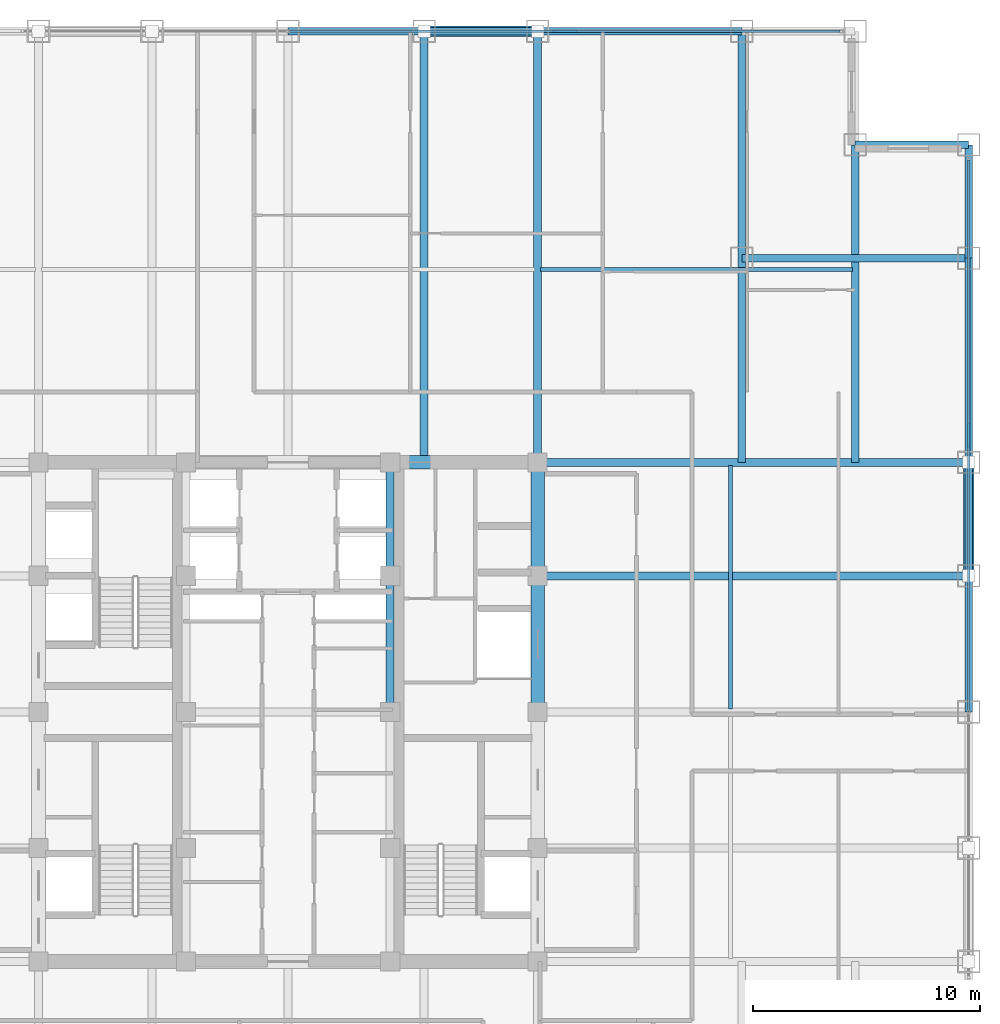
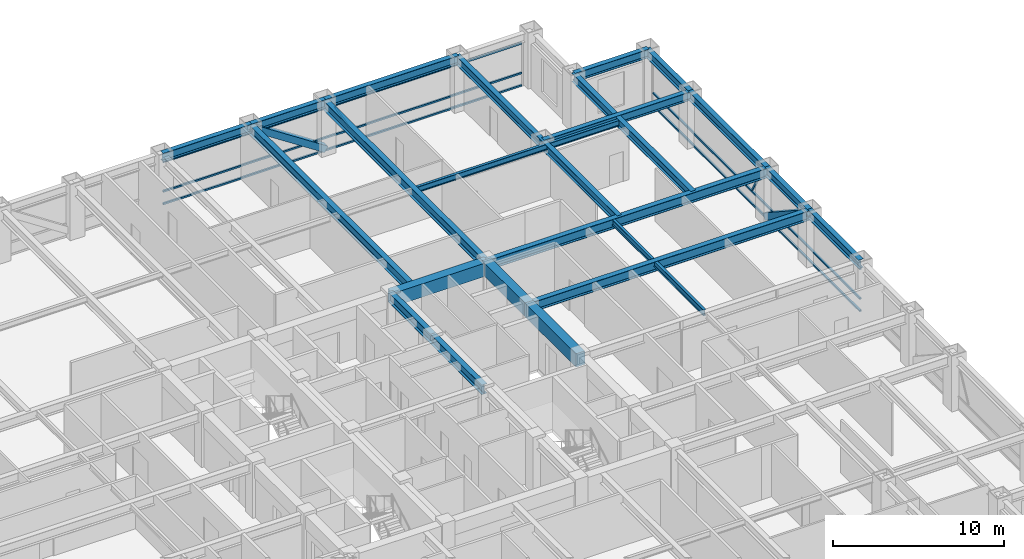
# One storey, part 17 of 25: 22 beams, 10 members, 2 elements without a shape of their own.
"""IFC4 building model written with IfcOpenShell, lengths in metres."""

from ifc_helpers import new_model, si_unit, direction, frame, origin, origin_2d, place, context, subcontext, project, spatial, rectangle, hollow_rectangle, i_section, extrude, source, transform, mapped, material, material_profile, profile_set, type_object, element, aggregate, save


model = new_model("IFC4")

# Units and contexts
model_context = context("Model", 3, precision=1e-05, world=origin(), true_north=direction((0.0, 1.0)))
body_context = subcontext(model_context, "Body", "Model", "MODEL_VIEW")
ifc_project = project(units=[si_unit("LENGTHUNIT", "METRE"), si_unit("AREAUNIT", "SQUARE_METRE"), si_unit("VOLUMEUNIT", "CUBIC_METRE"), si_unit("PLANEANGLEUNIT", "RADIAN"), si_unit("MASSUNIT", "GRAM", prefix="KILO")], contexts=[model_context])

# Site, building, storey
site_placement = place(None, origin())
site = spatial("IfcSite", under=ifc_project, at=site_placement, CompositionType="ELEMENT")
building_placement = place(site_placement, origin())
building = spatial("IfcBuilding", under=site, at=building_placement, Name="Khorayat Bourse Tower", CompositionType="ELEMENT")
storey_placement = place(building_placement, frame((0.0, 0.0, 251.10009765625)))
storey = spatial("IfcBuildingStorey", under=building, at=storey_placement, Name="L59", CompositionType="ELEMENT", Elevation=251.10009765625)

# Beams
ifc_material_1 = material(Name="Steel ASTM A992 Grade 50", Category="steel")
ifc_material_profile_1 = material_profile(ifc_material_1, i_section(OverallWidth=0.35498046875, OverallDepth=0.695068359375, WebThickness=0.015380859375, FlangeThickness=0.02490234375, FilletRadius=0.01806640625, at=origin_2d()), Name="W690X217")
ifc_profile_set_1 = profile_set([ifc_material_profile_1], Name="Steel ASTM A992 Grade 50")
beam_type_1 = type_object("IfcBeamType", Name="BM-GIRD-690", PredefinedType="BEAM", material=ifc_profile_set_1)
shared_shape_1 = source(origin(), body_context, "Body", "SweptSolid", [
    extrude(i_section(OverallWidth=0.35498046875, OverallDepth=0.695068359375, WebThickness=0.015380859375, FlangeThickness=0.02490234375, FilletRadius=0.01806640625, at=origin_2d()), origin(), (0.0, 0.0, 1.0), 5.0),
])
beam_1_placement = place(storey_placement, frame((4.5, 6.0, 3.432373046875), z_axis=(0.0, 1.0, 0.0), x_axis=(-1.0, 0.0, 0.0)))
element("IfcBeam", 1, at=beam_1_placement, inside=storey, type_object=beam_type_1, Name="L59 BM-GIRD-690 BM-L59-CRX-12", PredefinedType="BEAM", context=body_context, shape_type="MappedRepresentation", body=[
    mapped(shared_shape_1, transform((0.0, 0.0, 0.0), scale=1.0)),
])
shared_shape_2 = source(origin(), body_context, "Body", "SweptSolid", [
    extrude(i_section(OverallWidth=0.35498046875, OverallDepth=0.695068359375, WebThickness=0.015380859375, FlangeThickness=0.02490234375, FilletRadius=0.01806640625, at=origin_2d()), origin(), (0.0, 0.0, 1.0), 6.0),
])
beam_2_placement = place(storey_placement, frame((4.5, 0.0, 3.432373046875), z_axis=(0.0, 1.0, 0.0), x_axis=(-1.0, 0.0, 0.0)))
element("IfcBeam", 2, at=beam_2_placement, inside=storey, type_object=beam_type_1, Name="L59 BM-GIRD-690 BM-L59-CRX-11", PredefinedType="BEAM", context=body_context, shape_type="MappedRepresentation", body=[
    mapped(shared_shape_2, transform((0.0, 0.0, 0.0), scale=1.0)),
])
ifc_material_profile_2 = material_profile(ifc_material_1, i_section(OverallWidth=0.324951171875, OverallDepth=0.615966796875, WebThickness=0.013916015625, FlangeThickness=0.021484375, FilletRadius=0.01611328125, at=origin_2d()), Name="W610X174")
ifc_profile_set_2 = profile_set([ifc_material_profile_2], Name="Steel ASTM A992 Grade 50")
beam_type_2 = type_object("IfcBeamType", Name="BM-GIRD-610", PredefinedType="BEAM", material=ifc_profile_set_2)
shared_shape_3 = source(origin(), body_context, "Body", "SweptSolid", [
    extrude(i_section(OverallWidth=0.324951171875, OverallDepth=0.615966796875, WebThickness=0.013916015625, FlangeThickness=0.021484375, FilletRadius=0.01611328125, at=origin_2d()), origin(), (0.0, 0.0, 1.0), 19.0),
])
beam_3_placement = place(storey_placement, frame((20.0, 11.0, 3.471923828125), z_axis=(0.0, 1.0, 0.0), x_axis=(-1.0, 0.0, 0.0)))
element("IfcBeam", 3, at=beam_3_placement, inside=storey, type_object=beam_type_2, Name="L59 BM-GIRD-610 BM-L59-CNRY-087", PredefinedType="BEAM", context=body_context, shape_type="MappedRepresentation", body=[
    mapped(shared_shape_3, transform((0.0, 0.0, 0.0), scale=1.0)),
])
shared_shape_4 = source(origin(), body_context, "Body", "SweptSolid", [
    extrude(i_section(OverallWidth=0.324951171875, OverallDepth=0.615966796875, WebThickness=0.013916015625, FlangeThickness=0.021484375, FilletRadius=0.01611328125, at=origin_2d()), origin(), (0.0, 0.0, 1.0), 10.0),
])
beam_4_placement = place(storey_placement, frame((20.0, 20.0, 3.471923828125), z_axis=(1.0, 0.0, 0.0), x_axis=(0.0, 1.0, 0.0)))
element("IfcBeam", 4, at=beam_4_placement, inside=storey, type_object=beam_type_2, Name="L59 BM-GIRD-610 BM-L59-CNRX-094", PredefinedType="BEAM", context=body_context, shape_type="MappedRepresentation", body=[
    mapped(shared_shape_4, transform((0.0, 0.0, 0.0), scale=1.0)),
])
ifc_material_profile_3 = material_profile(ifc_material_1, i_section(OverallWidth=0.180908203125, OverallDepth=0.4169921875, WebThickness=0.010986328125, FlangeThickness=0.018310546875, FilletRadius=0.011962890625, at=origin_2d()), Name="W410X85")
ifc_profile_set_3 = profile_set([ifc_material_profile_3], Name="Steel ASTM A992 Grade 50")
beam_type_3 = type_object("IfcBeamType", Name="BM-JOIST-410", PredefinedType="JOIST", material=ifc_profile_set_3)
shared_shape_5 = source(origin(), body_context, "Body", "SweptSolid", [
    extrude(i_section(OverallWidth=0.180908203125, OverallDepth=0.4169921875, WebThickness=0.010986328125, FlangeThickness=0.018310546875, FilletRadius=0.011962890625, at=origin_2d()), origin(), (0.0, 0.0, 1.0), 10.740234375),
])
beam_5_placement = place(storey_placement, frame((19.5, 0.1298828125, 3.5712890625), z_axis=(0.0, 1.0, 0.0), x_axis=(-1.0, 0.0, 0.0)))
element("IfcBeam", 5, at=beam_5_placement, inside=storey, type_object=beam_type_3, Name="L59 BM-JOIST-410 BM-L59-JSTY-105", PredefinedType="JOIST", context=body_context, shape_type="MappedRepresentation", body=[
    mapped(shared_shape_5, transform((0.0, 0.0, 0.0), scale=1.0)),
])
ifc_material_profile_4 = material_profile(ifc_material_1, i_section(OverallWidth=0.324951171875, OverallDepth=0.615966796875, WebThickness=0.013916015625, FlangeThickness=0.021484375, FilletRadius=0.01611328125, at=origin_2d()), Name="W610X174")
ifc_profile_set_4 = profile_set([ifc_material_profile_4], Name="Steel ASTM A992 Grade 50")
beam_type_4 = type_object("IfcBeamType", Name="BM-SPAN-610", PredefinedType="SPANDREL", material=ifc_profile_set_4)
shared_shape_6 = source(origin(), body_context, "Body", "SweptSolid", [
    extrude(i_section(OverallWidth=0.324951171875, OverallDepth=0.615966796875, WebThickness=0.013916015625, FlangeThickness=0.021484375, FilletRadius=0.01611328125, at=origin_2d()), origin(), (0.0, 0.0, 1.0), 9.0),
])
for number, where, z_axis, x_axis, name in (
    (6, (30.0, 11.0, 3.471923828125), (0.0, 1.0, 0.0), (-1.0, 0.0, 0.0), "L59 BM-SPAN-610 BM-L59-SPN-040"),
    (7, (11.0, 30.0, 3.471923828125), (1.0, 0.0, 0.0), (0.0, 1.0, 0.0), "L59 BM-SPAN-610 BM-L59-SPN-045"),
):
    element("IfcBeam", number, at=place(storey_placement, frame(where, z_axis=z_axis, x_axis=x_axis)), inside=storey, type_object=beam_type_4, Name=name, PredefinedType="SPANDREL", context=body_context, shape_type="MappedRepresentation", body=[
        mapped(shared_shape_6, transform((0.0, 0.0, 0.0), scale=1.0)),
    ])
shared_shape_7 = source(origin(), body_context, "Body", "SweptSolid", [
    extrude(i_section(OverallWidth=0.324951171875, OverallDepth=0.615966796875, WebThickness=0.013916015625, FlangeThickness=0.021484375, FilletRadius=0.01611328125, at=origin_2d()), origin(), (0.0, 0.0, 1.0), 5.0),
])
for number, where, z_axis, x_axis, name in (
    (8, (30.0, 6.0, 3.471923828125), (0.0, 1.0, 0.0), (-1.0, 0.0, 0.0), "L59 BM-SPAN-610 BM-L59-SPN-039"),
    (9, (30.0, 20.0, 3.471923828125), (0.0, 1.0, 0.0), (-1.0, 0.0, 0.0), "L59 BM-SPAN-610 BM-L59-SPN-041"),
    (10, (25.0, 25.0, 3.471923828125), (1.0, 0.0, 0.0), (0.0, 1.0, 0.0), "L59 BM-SPAN-610 BM-L59-SPN-042"),
    (11, (6.0, 30.0, 3.471923828125), (1.0, 0.0, 0.0), (0.0, 1.0, 0.0), "L59 BM-SPAN-610 BM-L59-SPN-046"),
):
    element("IfcBeam", number, at=place(storey_placement, frame(where, z_axis=z_axis, x_axis=x_axis)), inside=storey, type_object=beam_type_4, Name=name, PredefinedType="SPANDREL", context=body_context, shape_type="MappedRepresentation", body=[
        mapped(shared_shape_7, transform((0.0, 0.0, 0.0), scale=1.0)),
    ])
shared_shape_8 = source(origin(), body_context, "Body", "SweptSolid", [
    extrude(i_section(OverallWidth=0.324951171875, OverallDepth=0.615966796875, WebThickness=0.013916015625, FlangeThickness=0.021484375, FilletRadius=0.01611328125, at=origin_2d()), origin(), (0.0, 0.0, 1.0), 6.0),
])
for number, where, z_axis, x_axis, name in (
    (12, (30.0, 0.0, 3.471923828125), (0.0, 1.0, 0.0), (-1.0, 0.0, 0.0), "L59 BM-SPAN-610 BM-L59-SPN-038"),
    (13, (0.0, 30.0, 3.471923828125), (1.0, 0.0, 0.0), (0.0, 1.0, 0.0), "L59 BM-SPAN-610 BM-L59-SPN-047"),
):
    element("IfcBeam", number, at=place(storey_placement, frame(where, z_axis=z_axis, x_axis=x_axis)), inside=storey, type_object=beam_type_4, Name=name, PredefinedType="SPANDREL", context=body_context, shape_type="MappedRepresentation", body=[
        mapped(shared_shape_8, transform((0.0, 0.0, 0.0), scale=1.0)),
    ])
ifc_material_2 = material(Name="Concrete C60/75", Category="concrete")
ifc_material_profile_5 = material_profile(ifc_material_2, rectangle(XDim=0.60009765625, YDim=0.949951171875, at=origin_2d()), Name="RC 600x950")
ifc_profile_set_5 = profile_set([ifc_material_profile_5], Name="Concrete C60/75")
beam_type_5 = type_object("IfcBeamType", Name="BM-COUP-950", PredefinedType="BEAM", material=ifc_profile_set_5)
shared_shape_9 = source(origin(), body_context, "Body", "SweptSolid", [
    extrude(rectangle(XDim=0.60009765625, YDim=0.949951171875, at=origin_2d()), origin(), (0.0, 0.0, 1.0), 5.0),
])
beam_6_placement = place(storey_placement, frame((11.0, 6.0, 3.304931640625), z_axis=(0.0, 1.0, 0.0), x_axis=(-1.0, 0.0, 0.0)))
element("IfcBeam", 14, at=beam_6_placement, inside=storey, type_object=beam_type_5, Name="L59 BM-COUP-950 BM-L59-CRX-16", PredefinedType="BEAM", context=body_context, shape_type="MappedRepresentation", body=[
    mapped(shared_shape_9, transform((0.0, 0.0, 0.0), scale=1.0)),
])
shared_shape_10 = source(origin(), body_context, "Body", "SweptSolid", [
    extrude(rectangle(XDim=0.60009765625, YDim=0.949951171875, at=origin_2d()), origin(), (0.0, 0.0, 1.0), 6.0),
])
beam_7_placement = place(storey_placement, frame((11.0, 0.0, 3.304931640625), z_axis=(0.0, 1.0, 0.0), x_axis=(-1.0, 0.0, 0.0)))
element("IfcBeam", 15, at=beam_7_placement, inside=storey, type_object=beam_type_5, Name="L59 BM-COUP-950 BM-L59-CRX-15", PredefinedType="BEAM", context=body_context, shape_type="MappedRepresentation", body=[
    mapped(shared_shape_10, transform((0.0, 0.0, 0.0), scale=1.0)),
])
shared_shape_11 = source(origin(), body_context, "Body", "SweptSolid", [
    extrude(rectangle(XDim=0.60009765625, YDim=0.949951171875, at=origin_2d()), origin(), (0.0, 0.0, 1.0), 6.5),
])
beam_8_placement = place(storey_placement, frame((4.5, 11.0, 3.304931640625), z_axis=(1.0, 0.0, 0.0), x_axis=(0.0, 1.0, 0.0)))
element("IfcBeam", 16, at=beam_8_placement, inside=storey, type_object=beam_type_5, Name="L59 BM-COUP-950 BM-L59-CRY-22", PredefinedType="BEAM", context=body_context, shape_type="MappedRepresentation", body=[
    mapped(shared_shape_11, transform((0.0, 0.0, 0.0), scale=1.0)),
])
shared_shape_12 = source(origin(), body_context, "Body", "SweptSolid", [
    extrude(i_section(OverallWidth=0.35498046875, OverallDepth=0.695068359375, WebThickness=0.015380859375, FlangeThickness=0.02490234375, FilletRadius=0.01806640625, at=origin_2d()), origin(), (0.0, 0.0, 1.0), 19.0),
])
for number, where, z_axis, x_axis, name in (
    (17, (6.0, 11.0, 3.432373046875), (0.0, 1.0, 0.0), (-1.0, 0.0, 0.0), "L59 BM-GIRD-690 BM-L59-RADY-070"),
    (18, (11.0, 11.0, 3.432373046875), (0.0, 1.0, 0.0), (-1.0, 0.0, 0.0), "L59 BM-GIRD-690 BM-L59-RADY-072"),
    (19, (11.0, 6.0, 3.432373046875), (1.0, 0.0, 0.0), (0.0, 1.0, 0.0), "L59 BM-GIRD-690 BM-L59-RADX-080"),
    (20, (11.0, 11.0, 3.432373046875), (1.0, 0.0, 0.0), (0.0, 1.0, 0.0), "L59 BM-GIRD-690 BM-L59-RADX-082"),
):
    element("IfcBeam", number, at=place(storey_placement, frame(where, z_axis=z_axis, x_axis=x_axis)), inside=storey, type_object=beam_type_1, Name=name, PredefinedType="BEAM", context=body_context, shape_type="MappedRepresentation", body=[
        mapped(shared_shape_12, transform((0.0, 0.0, 0.0), scale=1.0)),
    ])
shared_shape_13 = source(origin(), body_context, "Body", "SweptSolid", [
    extrude(i_section(OverallWidth=0.324951171875, OverallDepth=0.615966796875, WebThickness=0.013916015625, FlangeThickness=0.021484375, FilletRadius=0.01611328125, at=origin_2d()), origin(), (0.0, 0.0, 1.0), 14.0),
])
beam_9_placement = place(storey_placement, frame((25.0, 11.0, 3.471923828125), z_axis=(0.0, 1.0, 0.0), x_axis=(-1.0, 0.0, 0.0)))
element("IfcBeam", 21, at=beam_9_placement, inside=storey, type_object=beam_type_2, Name="L59 BM-GIRD-610 BM-L59-CNRY-091", PredefinedType="BEAM", context=body_context, shape_type="MappedRepresentation", body=[
    mapped(shared_shape_13, transform((0.0, 0.0, 0.0), scale=1.0)),
])
shared_shape_14 = source(origin(), body_context, "Body", "SweptSolid", [
    extrude(i_section(OverallWidth=0.180908203125, OverallDepth=0.4169921875, WebThickness=0.010986328125, FlangeThickness=0.018310546875, FilletRadius=0.011962890625, at=origin_2d()), origin(), (0.0, 0.0, 1.0), 13.740234375),
])
beam_10_placement = place(storey_placement, frame((11.1298828125, 19.5, 3.5712890625), z_axis=(1.0, 0.0, 0.0), x_axis=(0.0, 1.0, 0.0)))
element("IfcBeam", 22, at=beam_10_placement, inside=storey, type_object=beam_type_3, Name="L59 BM-JOIST-410 BM-L59-JSTX-101", PredefinedType="JOIST", context=body_context, shape_type="MappedRepresentation", body=[
    mapped(shared_shape_14, transform((0.0, 0.0, 0.0), scale=1.0)),
])

# Members
ifc_material_3 = material(Name="Steel EN 10025-4 S460M", Category="steel")
ifc_material_profile_6 = material_profile(ifc_material_3, hollow_rectangle(XDim=0.449951171875, YDim=0.449951171875, WallThickness=0.02490234375, at=origin_2d()), Name="HSS 450x450x25")
ifc_profile_set_6 = profile_set([ifc_material_profile_6], Name="Steel EN 10025-4 S460M")
member_type_1 = type_object("IfcMemberType", Name="MBR-TUBE-450", PredefinedType="BRACE", material=ifc_profile_set_6)
shared_shape_15 = source(origin(), body_context, "Body", "SweptSolid", [
    extrude(hollow_rectangle(XDim=0.449951171875, YDim=0.449951171875, WallThickness=0.02490234375, at=origin_2d()), origin(), (0.0, 0.0, 1.0), 5.979736328125),
])
for number, where, z_axis, x_axis, name in (
    (23, (6.0, 30.0, 3.52978515625), (0.836160261256, 0.0, -0.548485202623), (0.0, 1.0, 0.0), "L59 Perimeter Tube Brace 04"),
    (24, (30.0, 6.0, 3.52978515625), (0.0, 0.836160261256, -0.548485202623), (-1.0, 0.0, 0.0), "L59 Perimeter Tube Brace 08"),
):
    element("IfcMember", number, at=place(storey_placement, frame(where, z_axis=z_axis, x_axis=x_axis)), inside=storey, type_object=member_type_1, Name=name, PredefinedType="BRACE", context=body_context, shape_type="MappedRepresentation", body=[
        mapped(shared_shape_15, transform((0.0, 0.0, 0.0), scale=1.0)),
    ])

# Curtain wall, member
ifc_material_4 = material(Name="Aluminium EN AW-6063 T6", Category="aluminium")
curtain_wall_type = type_object("IfcCurtainWallType", Name="CW-SYS-03", PredefinedType="NOTDEFINED", material=ifc_material_4)
curtain_wall_1_placement = place(storey_placement, origin())
curtain_wall_1 = element("IfcCurtainWall", 25, at=curtain_wall_1_placement, inside=storey, type_object=curtain_wall_type, Name="L59 Curtain Wall CW-L59-N1", PredefinedType="NOTDEFINED")
ifc_material_profile_7 = material_profile(ifc_material_4, hollow_rectangle(XDim=0.1201171875, YDim=0.1201171875, WallThickness=0.0048828125, at=origin_2d()), Name="ALU 120x120x5")
ifc_profile_set_7 = profile_set([ifc_material_profile_7], Name="Aluminium EN AW-6063 T6")
member_type_2 = type_object("IfcMemberType", Name="CWM-DIAG-120", PredefinedType="MULLION", material=ifc_profile_set_7)
shared_shape_16 = source(origin(), body_context, "Body", "SweptSolid", [
    extrude(hollow_rectangle(XDim=0.1201171875, YDim=0.1201171875, WallThickness=0.0048828125, at=origin_2d()), origin(), (0.0, 0.0, 1.0), 2.079345703125),
])
member_1_placement = place(storey_placement, frame((12.67919921875, 30.0, 1.08984375), z_axis=(-0.465760949701, 0.0, 0.884910581773), x_axis=(0.0, -1.0, 0.0)))
member_1 = element("IfcMember", 26, at=member_1_placement, type_object=member_type_2, Name="CW-L59-N1 Faceted Diagonal Mullion 2", PredefinedType="MULLION", context=body_context, shape_type="MappedRepresentation", body=[
    mapped(shared_shape_16, transform((0.0, 0.0, 0.0), scale=1.0)),
])

curtain_wall_2_placement = place(storey_placement, origin())
curtain_wall_2 = element("IfcCurtainWall", 27, at=curtain_wall_2_placement, inside=storey, type_object=curtain_wall_type, Name="L59 Curtain Wall CW-L59-E1", PredefinedType="NOTDEFINED")
member_2_placement = place(storey_placement, frame((30.0, 12.67919921875, 1.08984375), z_axis=(0.0, -0.465760949701, 0.884910581773), x_axis=(1.0, 0.0, 0.0)))
member_2 = element("IfcMember", 28, at=member_2_placement, type_object=member_type_2, Name="CW-L59-E1 Faceted Diagonal Mullion 2", PredefinedType="MULLION", context=body_context, shape_type="MappedRepresentation", body=[
    mapped(shared_shape_16, transform((0.0, 0.0, 0.0), scale=1.0)),
])

# Member
ifc_material_profile_8 = material_profile(ifc_material_4, hollow_rectangle(XDim=0.1201171875, YDim=0.1201171875, WallThickness=0.0048828125, at=origin_2d()), Name="ALU 120x120x5")
ifc_profile_set_8 = profile_set([ifc_material_profile_8], Name="Aluminium EN AW-6063 T6")
member_type_3 = type_object("IfcMemberType", Name="CWT-HORZ-120", PredefinedType="USERDEFINED", material=ifc_profile_set_8)
shared_shape_17 = source(origin(), body_context, "Body", "SweptSolid", [
    extrude(hollow_rectangle(XDim=0.1201171875, YDim=0.1201171875, WallThickness=0.0048828125, at=origin_2d()), origin(), (0.0, 0.0, 1.0), 24.27001953125),
])
member_3_placement = place(storey_placement, frame((0.06005859375, 30.0, 0.059814453125), z_axis=(1.0, 0.0, 0.0), x_axis=(0.0, 1.0, 0.0)))
member_3 = element("IfcMember", 29, at=member_3_placement, type_object=member_type_3, Name="CW-L59-N1 Horizontal Transom 2-1", ObjectType="TRANSOM", PredefinedType="USERDEFINED", context=body_context, shape_type="MappedRepresentation", body=[
    mapped(shared_shape_17, transform((0.0, 0.0, 0.0), scale=1.0)),
])

member_4_placement = place(storey_placement, frame((0.06005859375, 30.0, 0.949951171875), z_axis=(1.0, 0.0, 0.0), x_axis=(0.0, 1.0, 0.0)))
member_4 = element("IfcMember", 30, at=member_4_placement, type_object=member_type_3, Name="CW-L59-N1 Horizontal Transom 2-2", ObjectType="TRANSOM", PredefinedType="USERDEFINED", context=body_context, shape_type="MappedRepresentation", body=[
    mapped(shared_shape_17, transform((0.0, 0.0, 0.0), scale=1.0)),
])

member_5_placement = place(storey_placement, frame((0.06005859375, 30.0, 3.06982421875), z_axis=(1.0, 0.0, 0.0), x_axis=(0.0, 1.0, 0.0)))
member_5 = element("IfcMember", 31, at=member_5_placement, type_object=member_type_3, Name="CW-L59-N1 Horizontal Transom 2-3", ObjectType="TRANSOM", PredefinedType="USERDEFINED", context=body_context, shape_type="MappedRepresentation", body=[
    mapped(shared_shape_17, transform((0.0, 0.0, 0.0), scale=1.0)),
])

aggregate(curtain_wall_1, [member_3, member_4, member_5, member_1])

member_6_placement = place(storey_placement, frame((30.0, 0.06005859375, 0.059814453125), z_axis=(0.0, 1.0, 0.0), x_axis=(-1.0, 0.0, 0.0)))
member_6 = element("IfcMember", 32, at=member_6_placement, type_object=member_type_3, Name="CW-L59-E1 Horizontal Transom 2-1", ObjectType="TRANSOM", PredefinedType="USERDEFINED", context=body_context, shape_type="MappedRepresentation", body=[
    mapped(shared_shape_17, transform((0.0, 0.0, 0.0), scale=1.0)),
])

member_7_placement = place(storey_placement, frame((30.0, 0.06005859375, 0.949951171875), z_axis=(0.0, 1.0, 0.0), x_axis=(-1.0, 0.0, 0.0)))
member_7 = element("IfcMember", 33, at=member_7_placement, type_object=member_type_3, Name="CW-L59-E1 Horizontal Transom 2-2", ObjectType="TRANSOM", PredefinedType="USERDEFINED", context=body_context, shape_type="MappedRepresentation", body=[
    mapped(shared_shape_17, transform((0.0, 0.0, 0.0), scale=1.0)),
])

member_8_placement = place(storey_placement, frame((30.0, 0.06005859375, 3.06982421875), z_axis=(0.0, 1.0, 0.0), x_axis=(-1.0, 0.0, 0.0)))
member_8 = element("IfcMember", 34, at=member_8_placement, type_object=member_type_3, Name="CW-L59-E1 Horizontal Transom 2-3", ObjectType="TRANSOM", PredefinedType="USERDEFINED", context=body_context, shape_type="MappedRepresentation", body=[
    mapped(shared_shape_17, transform((0.0, 0.0, 0.0), scale=1.0)),
])

aggregate(curtain_wall_2, [member_6, member_7, member_8, member_2])

save(model, "model.ifc")
